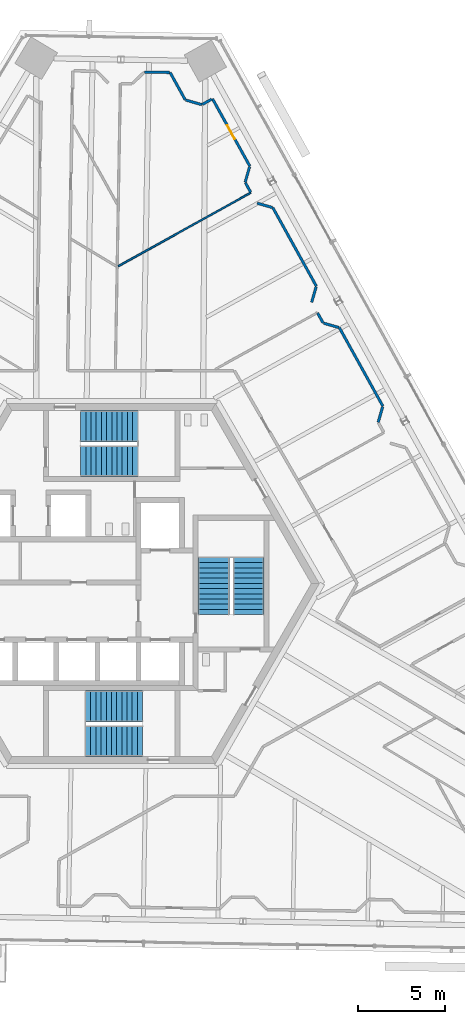
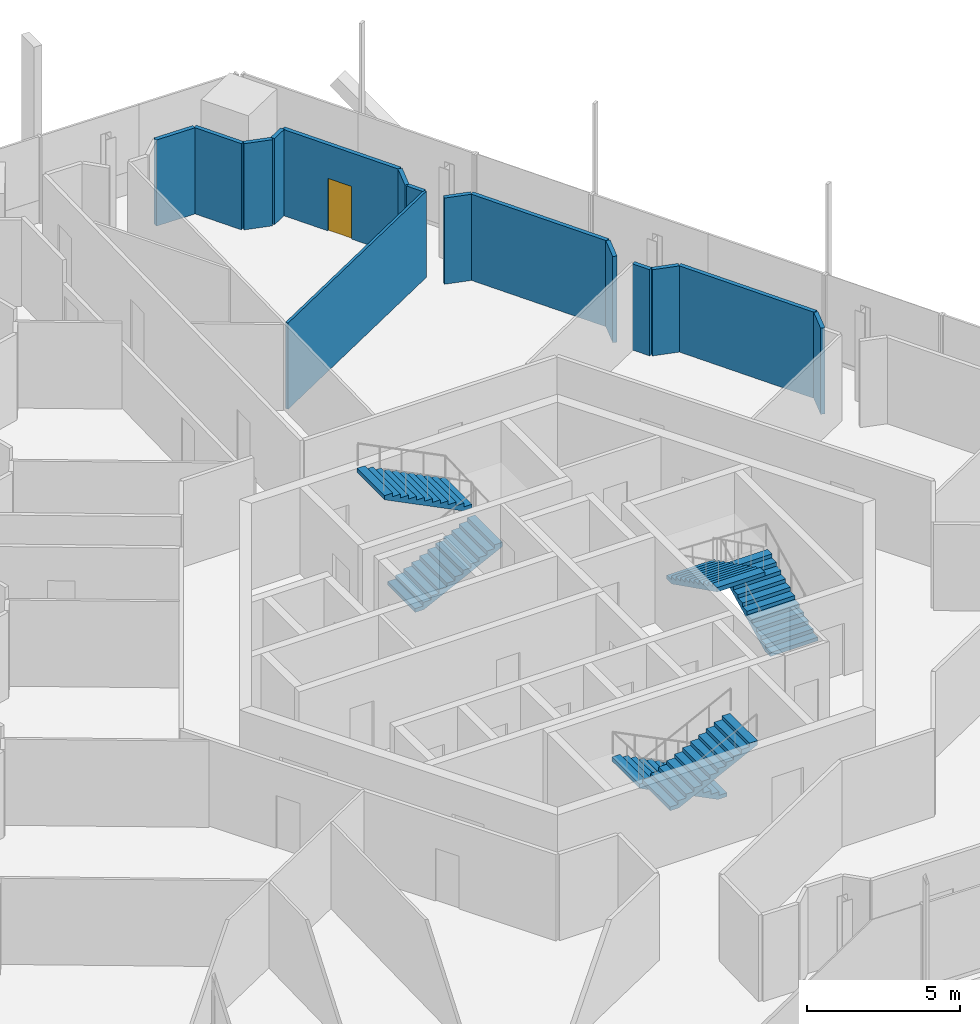
# One storey, part 16 of 22: 15 walls, 6 stair flights, 1 door, 1 opening, 3 elements without a shape of their own.
"""IFC4 building model written with IfcOpenShell, lengths in metres."""

from ifc_helpers import new_model, si_unit, direction, frame, frame_2d, origin, place, context, subcontext, project, spatial, polyline, rectangle, outline, extrude, source, transform, mapped, material, layer, layer_set, type_object, element, fill, aggregate, save


model = new_model("IFC4")

# Units and contexts
model_context = context("Model", 3, precision=1e-05, world=origin(), true_north=direction((0.0, 1.0)))
body_context = subcontext(model_context, "Body", "Model", "MODEL_VIEW")
ifc_project = project(units=[si_unit("LENGTHUNIT", "METRE"), si_unit("AREAUNIT", "SQUARE_METRE"), si_unit("VOLUMEUNIT", "CUBIC_METRE"), si_unit("PLANEANGLEUNIT", "RADIAN"), si_unit("MASSUNIT", "GRAM", prefix="KILO")], contexts=[model_context])

# Site, building, storey
site_placement = place(None, origin())
site = spatial("IfcSite", under=ifc_project, at=site_placement, CompositionType="ELEMENT")
building_placement = place(site_placement, origin())
building = spatial("IfcBuilding", under=site, at=building_placement, Name="Triune Harvest Tower", CompositionType="ELEMENT")
storey_placement = place(building_placement, frame((0.0, 0.0, 208.699951171875)))
storey = spatial("IfcBuildingStorey", under=building, at=storey_placement, Name="L54", CompositionType="ELEMENT", Elevation=208.699951171875)

# Walls
ifc_material_1 = material(Name="Gypsum board on steel studs", Category="steel")
ifc_layer_1 = layer(ifc_material_1, 0.14990234375)
ifc_layer_set_1 = layer_set([ifc_layer_1], Name="Gypsum board on steel studs")
wall_type_1 = type_object("IfcWallType", Name="Fire Partition 150 mm", PredefinedType="PARTITIONING", material=ifc_layer_set_1)
wall_1_placement = place(storey_placement, frame((1.889892578125, 29.556640625, 0.0), z_axis=(0.0, 0.0, 1.0), x_axis=(0.999849035009, -0.017375476735, 0.0)))
element("IfcWall", 1, at=wall_1_placement, inside=storey, type_object=wall_type_1, Name="Partition L54 070", PredefinedType="PARTITIONING", context=body_context, shape_type="SweptSolid", body=[
    extrude(rectangle(XDim=1.447265625, YDim=0.14990234375, at=frame_2d((0.7236328125, 0.0))), origin(), (0.0, 0.0, 1.0), 3.43994140625),
])
shared_shape_1 = source(origin(), body_context, "Body", "SweptSolid", [
    extrude(rectangle(XDim=0.968505859375, YDim=0.14990234375, at=frame_2d((0.484375, 0.0))), origin(), (0.0, 0.0, 1.0), 3.43994140625),
])
wall_2_placement = place(storey_placement, frame((4.281982421875, 27.9404296875, 0.0), z_axis=(0.0, 0.0, 1.0), x_axis=(0.961285750079, -0.275553455242, 0.0)))
element("IfcWall", 2, at=wall_2_placement, inside=storey, type_object=wall_type_1, Name="Partition L54 055", PredefinedType="PARTITIONING", context=body_context, shape_type="MappedRepresentation", body=[
    mapped(shared_shape_1, transform((0.0, 0.0, 0.0), scale=1.0)),
])
shared_shape_2 = source(origin(), body_context, "Body", "SweptSolid", [
    extrude(rectangle(XDim=0.621826171875, YDim=0.14990234375, at=frame_2d((0.31103515625, 0.0))), origin(), (0.0, 0.0, 1.0), 3.43994140625),
])
wall_3_placement = place(storey_placement, frame((5.239013671875, 27.68798828125, 0.0), z_axis=(0.0, 0.0, 1.0), x_axis=(0.874527486947, 0.484975952573, 0.0)))
element("IfcWall", 3, at=wall_3_placement, inside=storey, type_object=wall_type_1, Name="Partition L54 094", PredefinedType="PARTITIONING", context=body_context, shape_type="MappedRepresentation", body=[
    mapped(shared_shape_2, transform((0.0, 0.0, 0.0), scale=1.0)),
])
shared_shape_3 = source(origin(), body_context, "Body", "SweptSolid", [
    extrude(rectangle(XDim=0.9140625, YDim=0.14990234375, at=frame_2d((0.45703125, 0.0))), origin(), (0.0, 0.0, 1.0), 3.43994140625),
])
for number, where, z_axis, x_axis, name in (
    (4, (12.25048828125, 15.047119140625, 0.0), (0.0, 0.0, 1.0), (0.961332200512, -0.275391358357, 0.0), "Partition L54 053"),
    (5, (8.4072265625, 21.98046875, 0.0), (0.0, 0.0, 1.0), (0.961261458393, -0.275638184235, 0.0), "Partition L54 054"),
):
    element("IfcWall", number, at=place(storey_placement, frame(where, z_axis=z_axis, x_axis=x_axis)), inside=storey, type_object=wall_type_1, Name=name, PredefinedType="PARTITIONING", context=body_context, shape_type="MappedRepresentation", body=[
        mapped(shared_shape_3, transform((0.0, 0.0, 0.0), scale=1.0)),
    ])
shared_shape_4 = source(origin(), body_context, "Body", "SweptSolid", [
    extrude(rectangle(XDim=1.80859375, YDim=0.14990234375, at=frame_2d((0.904296875, 0.0))), origin(), (0.0, 0.0, 1.0), 3.43994140625),
])
wall_4_placement = place(storey_placement, frame((3.37841796875, 29.53125, 0.0), z_axis=(0.0, 0.0, 1.0), x_axis=(0.484714349253, -0.87467250993, 0.0)))
element("IfcWall", 6, at=wall_4_placement, inside=storey, type_object=wall_type_1, Name="Partition L54 013", PredefinedType="PARTITIONING", context=body_context, shape_type="MappedRepresentation", body=[
    mapped(shared_shape_4, transform((0.0, 0.0, 0.0), scale=1.0)),
])
shared_shape_5 = source(origin(), body_context, "Body", "SweptSolid", [
    extrude(rectangle(XDim=0.630126953125, YDim=0.14990234375, at=frame_2d((0.31494140625, 0.0))), origin(), (0.0, 0.0, 1.0), 3.43994140625),
])
wall_5_placement = place(storey_placement, frame((7.7294921875, 23.160888671875, 0.0), z_axis=(0.0, 0.0, 1.0), x_axis=(0.484622965143, -0.874723145718, 0.0)))
element("IfcWall", 7, at=wall_5_placement, inside=storey, type_object=wall_type_1, Name="Partition L54 015", PredefinedType="PARTITIONING", context=body_context, shape_type="MappedRepresentation", body=[
    mapped(shared_shape_5, transform((0.0, 0.0, 0.0), scale=1.0)),
])
shared_shape_6 = source(origin(), body_context, "Body", "SweptSolid", [
    extrude(rectangle(XDim=0.657958984375, YDim=0.14990234375, at=frame_2d((0.3291015625, 0.0))), origin(), (0.0, 0.0, 1.0), 3.43994140625),
])
wall_6_placement = place(storey_placement, frame((11.902587890625, 15.631591796875, 0.0), z_axis=(0.0, 0.0, 1.0), x_axis=(0.484665846155, -0.874699386973, 0.0)))
element("IfcWall", 8, at=wall_6_placement, inside=storey, type_object=wall_type_1, Name="Partition L54 016", PredefinedType="PARTITIONING", context=body_context, shape_type="MappedRepresentation", body=[
    mapped(shared_shape_6, transform((0.0, 0.0, 0.0), scale=1.0)),
])

# Wall, opening, door
shared_shape_7 = source(origin(), body_context, "Body", "SweptSolid", [
    extrude(rectangle(XDim=4.44873046875, YDim=0.14990234375, at=frame_2d((2.224365234375, 0.0))), origin(), (0.0, 0.0, 1.0), 3.43994140625),
])
wall_7_placement = place(storey_placement, frame((5.826416015625, 28.013916015625, 0.0), z_axis=(0.0, 0.0, 1.0), x_axis=(0.484785370466, -0.874633148573, 0.0)))
wall_7 = element("IfcWall", 9, at=wall_7_placement, inside=storey, type_object=wall_type_1, Name="Partition L54 020", PredefinedType="PARTITIONING", context=body_context, shape_type="MappedRepresentation", body=[
    mapped(shared_shape_7, transform((0.0, 0.0, 0.0), scale=1.0)),
])
opening_placement = place(wall_7_placement, frame((1.750244140625, 0.0, 0.0)))
opening = element("IfcOpeningElement", 10, at=opening_placement, cuts=wall_7, Name="Opening L54-007", PredefinedType="OPENING", context=body_context, shape_type="SweptSolid", body=[
    extrude(rectangle(XDim=0.89990234375, YDim=2.10009765625, at=frame_2d((0.449951171875, 1.050048828125))), frame((0.0, 0.0849609375, 0.0), z_axis=(0.0, -1.0, 0.0), x_axis=(1.0, 0.0, 0.0)), (0.0, 0.0, 1.0), 0.169921875),
])
ifc_material_2 = material(Name="Timber and steel door set", Category="steel")
door_type = type_object("IfcDoorType", Name="Single leaf door FD30 right hand 900 x 2100", OperationType="SINGLE_SWING_RIGHT", PredefinedType="DOOR", material=ifc_material_2)
door_placement = place(opening_placement, origin())
door = element("IfcDoor", 11, at=door_placement, inside=storey, type_object=door_type, Name="Door L54-007 Open Office 54.07", OperationType="SINGLE_SWING_RIGHT", OverallHeight=2.10009765625, OverallWidth=0.89990234375, PredefinedType="DOOR", context=body_context, shape_type="SweptSolid", body=[
    extrude(rectangle(XDim=0.89990234375, YDim=2.10009765625, at=frame_2d((0.449951171875, 1.050048828125))), frame((0.0, 0.02490234375, 0.0), z_axis=(0.0, -1.0, 0.0), x_axis=(1.0, 0.0, 0.0)), (0.0, 0.0, 1.0), 0.050048828125),
])
fill(opening, door)

# Walls
shared_shape_8 = source(origin(), body_context, "Body", "SweptSolid", [
    extrude(rectangle(XDim=5.1806640625, YDim=0.14990234375, at=frame_2d((2.59033203125, 0.0))), origin(), (0.0, 0.0, 1.0), 3.43994140625),
])
for number, where, z_axis, x_axis, name in (
    (12, (9.314697265625, 21.72021484375, 0.0), (0.0, 0.0, 1.0), (0.484830467957, -0.87460815074, 0.0), "Partition L54 021"),
    (13, (13.157958984375, 14.787109375, 0.0), (0.0, 0.0, 1.0), (0.484774436514, -0.874639208876, 0.0), "Partition L54 022"),
):
    element("IfcWall", number, at=place(storey_placement, frame(where, z_axis=z_axis, x_axis=x_axis)), inside=storey, type_object=wall_type_1, Name=name, PredefinedType="PARTITIONING", context=body_context, shape_type="MappedRepresentation", body=[
        mapped(shared_shape_8, transform((0.0, 0.0, 0.0), scale=1.0)),
    ])
shared_shape_9 = source(origin(), body_context, "Body", "SweptSolid", [
    extrude(rectangle(XDim=0.944091796875, YDim=0.14990234375, at=frame_2d((0.47216796875, 0.0))), origin(), (0.0, 0.0, 1.0), 3.43994140625),
])
for number, where, z_axis, x_axis, name in (
    (14, (15.401123046875, 9.319580078125, 0.0), (0.0, 0.0, 1.0), (0.275438377011, 0.961318729907, 0.0), "Partition L54 124"),
    (15, (11.557861328125, 16.2529296875, 0.0), (0.0, 0.0, 1.0), (0.275677357934, 0.961250224615, 0.0), "Partition L54 125"),
    (16, (7.714599609375, 23.186279296875, 0.0), (0.0, 0.0, 1.0), (0.275677357934, 0.961250224615, 0.0), "Partition L54 126"),
):
    element("IfcWall", number, at=place(storey_placement, frame(where, z_axis=z_axis, x_axis=x_axis)), inside=storey, type_object=wall_type_1, Name=name, PredefinedType="PARTITIONING", context=body_context, shape_type="MappedRepresentation", body=[
        mapped(shared_shape_9, transform((0.0, 0.0, 0.0), scale=1.0)),
    ])
ifc_material_3 = material(Name="Gypsum board on steel studs", Category="steel")
ifc_layer_2 = layer(ifc_material_3, 0.10009765625)
ifc_layer_set_2 = layer_set([ifc_layer_2], Name="Gypsum board on steel studs")
wall_type_2 = type_object("IfcWallType", Name="Partition 100 mm", PredefinedType="PARTITIONING", material=ifc_layer_set_2)
shared_shape_10 = source(origin(), body_context, "Body", "SweptSolid", [
    extrude(rectangle(XDim=8.7646484375, YDim=0.10009765625, at=frame_2d((4.38232421875, 0.0))), origin(), (0.0, 0.0, 1.0), 3.43994140625),
])
wall_8_placement = place(storey_placement, frame((0.380615234375, 18.338134765625, 0.0), z_axis=(0.0, 0.0, 1.0), x_axis=(0.87461675323, 0.484814949201, 0.0)))
element("IfcWall", 17, at=wall_8_placement, inside=storey, type_object=wall_type_2, Name="Partition L54 093", PredefinedType="PARTITIONING", context=body_context, shape_type="MappedRepresentation", body=[
    mapped(shared_shape_10, transform((0.0, 0.0, 0.0), scale=1.0)),
])

# Stair, stair flights
ifc_material_4 = material(Name="Concrete 40 MPa", Category="concrete")
stair_type = type_object("IfcStairType", Name="Exit stair 1800 half turn", PredefinedType="HALF_TURN_STAIR", material=ifc_material_4)
stair_1_placement = place(storey_placement, origin())
stair_1 = element("IfcStair", 18, at=stair_1_placement, inside=storey, type_object=stair_type, Name="Exit stair north", PredefinedType="HALF_TURN_STAIR")
ifc_material_5 = material(Name="Concrete 40 MPa", Category="concrete")
stair_flight_type = type_object("IfcStairFlightType", Name="Stair flight 1800", PredefinedType="STRAIGHT", material=ifc_material_5)
shared_shape_11 = source(origin(), body_context, "Body", "SweptSolid", [
    extrude(outline(polyline([(0.0, 0.0), (0.0, 0.14990234375), (0.300048828125, 0.14990234375), (0.300048828125, 0.300048828125), (0.60009765625, 0.300048828125), (0.60009765625, 0.449951171875), (0.89990234375, 0.449951171875), (0.89990234375, 0.60009765625), (1.199951171875, 0.60009765625), (1.199951171875, 0.75), (1.5, 0.75), (1.5, 0.89990234375), (1.800048828125, 0.89990234375), (1.800048828125, 1.050048828125), (2.10009765625, 1.050048828125), (2.10009765625, 1.199951171875), (2.39990234375, 1.199951171875), (2.39990234375, 1.35009765625), (2.699951171875, 1.35009765625), (2.699951171875, 1.5), (3.0, 1.5), (3.0, 1.64990234375), (3.300048828125, 1.64990234375), (3.300048828125, 1.800048828125), (3.300048828125, 1.482421875), (0.335205078125, 0.0), (0.0, 0.0)])), frame((0.0, 0.89990234375, 0.0), z_axis=(0.0, -1.0, 0.0), x_axis=(1.0, 0.0, 0.0)), (0.0, 0.0, 1.0), 1.800048828125),
])
stair_flight_1_placement = place(storey_placement, frame((-1.7900390625, 7.090087890625, 0.0), z_axis=(0.0, 0.0, 1.0), x_axis=(1.0, 0.0, 0.0)))
stair_flight_1 = element("IfcStairFlight", 19, at=stair_flight_1_placement, type_object=stair_flight_type, Name="ST-1 flight 1", NumberOfRisers=12, NumberOfTreads=11, PredefinedType="STRAIGHT", RiserHeight=0.15, TreadLength=0.3, context=body_context, shape_type="MappedRepresentation", body=[
    mapped(shared_shape_11, transform((0.0, 0.0, 0.0), scale=1.0)),
])
stair_flight_2_placement = place(storey_placement, frame((1.510009765625, 9.090087890625, 1.800048828125), z_axis=(0.0, 0.0, 1.0), x_axis=(-1.0, 0.0, 0.0)))
stair_flight_2 = element("IfcStairFlight", 20, at=stair_flight_2_placement, type_object=stair_flight_type, Name="ST-1 flight 2", NumberOfRisers=12, NumberOfTreads=11, PredefinedType="STRAIGHT", RiserHeight=0.15, TreadLength=0.3, context=body_context, shape_type="MappedRepresentation", body=[
    mapped(shared_shape_11, transform((0.0, 0.0, 0.0), scale=1.0)),
])
aggregate(stair_1, [stair_flight_1, stair_flight_2])

stair_2_placement = place(storey_placement, origin())
stair_2 = element("IfcStair", 21, at=stair_2_placement, inside=storey, type_object=stair_type, Name="Exit stair south", PredefinedType="HALF_TURN_STAIR")
stair_flight_3_placement = place(storey_placement, frame((1.7900390625, -7.090087890625, 0.0), z_axis=(0.0, 0.0, 1.0), x_axis=(-1.0, 0.0, 0.0)))
stair_flight_3 = element("IfcStairFlight", 22, at=stair_flight_3_placement, type_object=stair_flight_type, Name="ST-2 flight 1", NumberOfRisers=12, NumberOfTreads=11, PredefinedType="STRAIGHT", RiserHeight=0.15, TreadLength=0.3, context=body_context, shape_type="MappedRepresentation", body=[
    mapped(shared_shape_11, transform((0.0, 0.0, 0.0), scale=1.0)),
])
stair_flight_4_placement = place(storey_placement, frame((-1.510009765625, -9.090087890625, 1.800048828125), z_axis=(0.0, 0.0, 1.0), x_axis=(1.0, 0.0, 0.0)))
stair_flight_4 = element("IfcStairFlight", 23, at=stair_flight_4_placement, type_object=stair_flight_type, Name="ST-2 flight 2", NumberOfRisers=12, NumberOfTreads=11, PredefinedType="STRAIGHT", RiserHeight=0.15, TreadLength=0.3, context=body_context, shape_type="MappedRepresentation", body=[
    mapped(shared_shape_11, transform((0.0, 0.0, 0.0), scale=1.0)),
])
aggregate(stair_2, [stair_flight_3, stair_flight_4])

stair_3_placement = place(storey_placement, origin())
stair_3 = element("IfcStair", 24, at=stair_3_placement, inside=storey, type_object=stair_type, Name="Exit stair east", PredefinedType="HALF_TURN_STAIR")
stair_flight_5_placement = place(storey_placement, frame((7.89990234375, -1.7900390625, 0.0), z_axis=(0.0, 0.0, 1.0), x_axis=(0.0, 1.0, 0.0)))
stair_flight_5 = element("IfcStairFlight", 25, at=stair_flight_5_placement, type_object=stair_flight_type, Name="ST-3 flight 1", NumberOfRisers=12, NumberOfTreads=11, PredefinedType="STRAIGHT", RiserHeight=0.15, TreadLength=0.3, context=body_context, shape_type="MappedRepresentation", body=[
    mapped(shared_shape_11, transform((0.0, 0.0, 0.0), scale=1.0)),
])
stair_flight_6_placement = place(storey_placement, frame((5.89990234375, 1.510009765625, 1.800048828125), z_axis=(0.0, 0.0, 1.0), x_axis=(0.0, -1.0, 0.0)))
stair_flight_6 = element("IfcStairFlight", 26, at=stair_flight_6_placement, type_object=stair_flight_type, Name="ST-3 flight 2", NumberOfRisers=12, NumberOfTreads=11, PredefinedType="STRAIGHT", RiserHeight=0.15, TreadLength=0.3, context=body_context, shape_type="MappedRepresentation", body=[
    mapped(shared_shape_11, transform((0.0, 0.0, 0.0), scale=1.0)),
])
aggregate(stair_3, [stair_flight_5, stair_flight_6])

save(model, "model.ifc")
